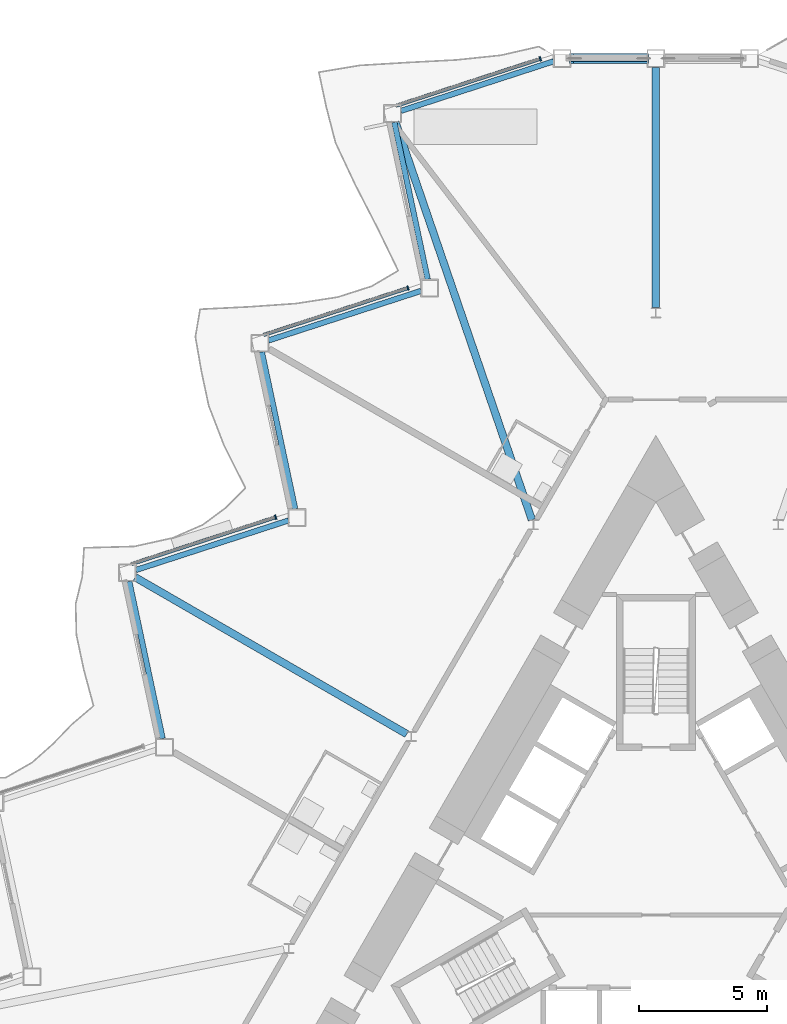
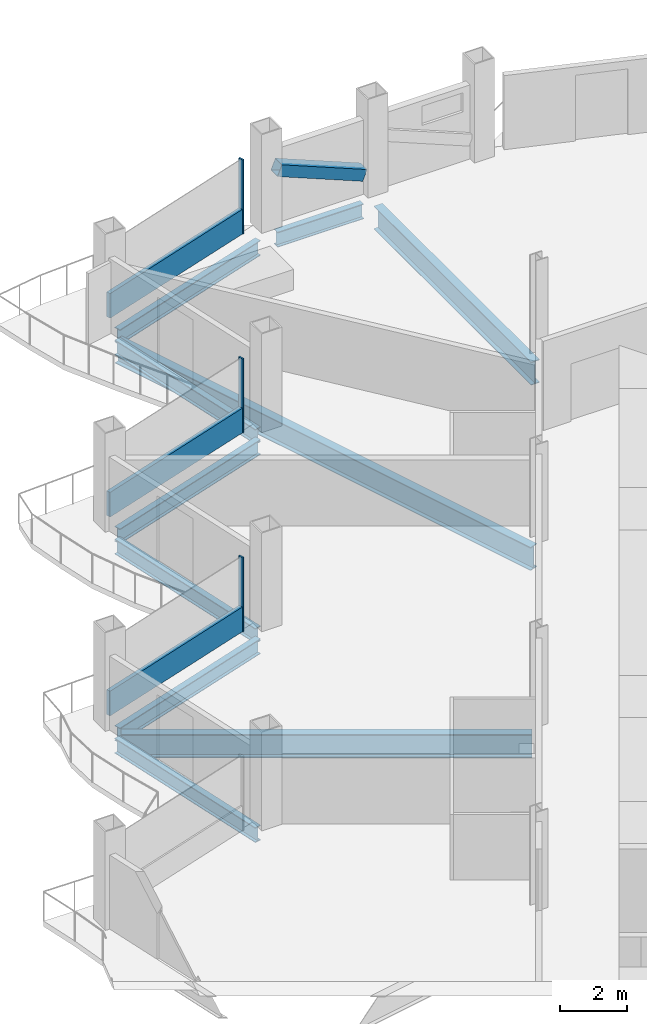
# One storey, part 8 of 23: 10 beams, 7 members, 3 elements without a shape of their own.
"""IFC4 building model written with IfcOpenShell, lengths in metres."""

from ifc_helpers import new_model, si_unit, direction, frame, origin, origin_2d, place, context, subcontext, project, spatial, rectangle, hollow_rectangle, i_section, extrude, material, layer, layer_set, material_profile, profile_set, type_object, element, aggregate, save


model = new_model("IFC4")

# Units and contexts
model_context = context("Model", 3, precision=1e-05, world=origin(), true_north=direction((0.0, 1.0)))
body_context = subcontext(model_context, "Body", "Model", "MODEL_VIEW")
ifc_project = project(units=[si_unit("LENGTHUNIT", "METRE"), si_unit("AREAUNIT", "SQUARE_METRE"), si_unit("VOLUMEUNIT", "CUBIC_METRE"), si_unit("PLANEANGLEUNIT", "RADIAN"), si_unit("MASSUNIT", "GRAM", prefix="KILO")], contexts=[model_context])

# Site, building, storey
site_placement = place(None, origin())
site = spatial("IfcSite", under=ifc_project, at=site_placement, CompositionType="ELEMENT")
building_placement = place(site_placement, origin())
building = spatial("IfcBuilding", under=site, at=building_placement, Name="Cormorant Prow Tower", CompositionType="ELEMENT")
storey_placement = place(building_placement, frame((0.0, 0.0, 259.800048828125)))
storey = spatial("IfcBuildingStorey", under=building, at=storey_placement, Name="L58", CompositionType="ELEMENT", Elevation=259.800048828125)

# Member
ifc_material_1 = material(Name="Structural steel ASTM A500 Gr C", Category="steel")
ifc_material_profile_1 = material_profile(ifc_material_1, hollow_rectangle(XDim=0.406494140625, YDim=0.406494140625, WallThickness=0.01171875, at=origin_2d()), Name="HSS16x16x1/2")
ifc_profile_set_1 = profile_set([ifc_material_profile_1], Name="Structural steel ASTM A500 Gr C")
member_type_1 = type_object("IfcMemberType", Name="Chamfer brace HSS16x16x1/2", PredefinedType="BRACE", material=ifc_profile_set_1)
member_1_placement = place(storey_placement, frame((-0.36572265625, 32.073486328125, 0.74951171875), z_axis=(-0.925591042089, 0.0, 0.37852506232), x_axis=(0.0, -1.0, 0.0)))
element("IfcMember", 1, at=member_1_placement, inside=storey, type_object=member_type_1, Name="Chamfer brace BR2 at N01 L58", PredefinedType="BRACE", context=body_context, shape_type="SweptSolid", body=[
    extrude(hollow_rectangle(XDim=0.406494140625, YDim=0.406494140625, WallThickness=0.01171875, at=origin_2d()), origin(), (0.0, 0.0, 1.0), 3.17529296875),
])

# Curtain wall, member
ifc_material_2 = material(Name="Aluminium 6063-T6", Category="aluminium")
ifc_layer = layer(ifc_material_2, 0.179931640625)
ifc_layer_set = layer_set([ifc_layer], Name="Aluminium 6063-T6")
curtain_wall_type = type_object("IfcCurtainWallType", Name="Hotel unitised curtain wall 180", PredefinedType="NOTDEFINED", material=ifc_layer_set)
curtain_wall_1_placement = place(storey_placement, origin())
curtain_wall_1 = element("IfcCurtainWall", 2, at=curtain_wall_1_placement, inside=storey, type_object=curtain_wall_type, Name="Hotel curtain wall WNW00", PredefinedType="NOTDEFINED")
ifc_material_3 = material(Name="Aluminium 6063-T6", Category="aluminium")
ifc_material_profile_2 = material_profile(ifc_material_3, rectangle(XDim=0.179931640625, YDim=0.06005859375, at=origin_2d()), Name="Hotel mullion 60x180")
ifc_profile_set_2 = profile_set([ifc_material_profile_2], Name="Aluminium 6063-T6")
member_type_2 = type_object("IfcMemberType", Name="Hotel mullion 60x180", PredefinedType="MULLION", material=ifc_profile_set_2)
member_2_placement = place(storey_placement, frame((-4.524658203125, 32.060546875, 0.0), z_axis=(0.0, 0.0, 1.0), x_axis=(0.309016939349, -0.951056534174, 0.0)))
member_2 = element("IfcMember", 3, at=member_2_placement, type_object=member_type_2, Name="Hotel mullion WNW00", PredefinedType="MULLION", context=body_context, shape_type="SweptSolid", body=[
    extrude(rectangle(XDim=0.179931640625, YDim=0.06005859375, at=origin_2d()), origin(), (0.0, 0.0, 1.0), 2.700927734375),
])

curtain_wall_2_placement = place(storey_placement, origin())
curtain_wall_2 = element("IfcCurtainWall", 4, at=curtain_wall_2_placement, inside=storey, type_object=curtain_wall_type, Name="Hotel curtain wall WNW02", PredefinedType="NOTDEFINED")
member_3_placement = place(storey_placement, frame((-9.704345703125, 23.08935546875, 0.0), z_axis=(0.0, 0.0, 1.0), x_axis=(0.309016939349, -0.951056534174, 0.0)))
member_3 = element("IfcMember", 5, at=member_3_placement, type_object=member_type_2, Name="Hotel mullion WNW02", PredefinedType="MULLION", context=body_context, shape_type="SweptSolid", body=[
    extrude(rectangle(XDim=0.179931640625, YDim=0.06005859375, at=origin_2d()), origin(), (0.0, 0.0, 1.0), 2.700927734375),
])

curtain_wall_3_placement = place(storey_placement, origin())
curtain_wall_3 = element("IfcCurtainWall", 6, at=curtain_wall_3_placement, inside=storey, type_object=curtain_wall_type, Name="Hotel curtain wall WNW04", PredefinedType="NOTDEFINED")
member_4_placement = place(storey_placement, frame((-14.8837890625, 14.1181640625, 0.0), z_axis=(0.0, 0.0, 1.0), x_axis=(0.309017069121, -0.951056492009, 0.0)))
member_4 = element("IfcMember", 7, at=member_4_placement, type_object=member_type_2, Name="Hotel mullion WNW04", PredefinedType="MULLION", context=body_context, shape_type="SweptSolid", body=[
    extrude(rectangle(XDim=0.179931640625, YDim=0.06005859375, at=origin_2d()), origin(), (0.0, 0.0, 1.0), 2.700927734375),
])

# Member
ifc_material_4 = material(Name="Terracotta", Category="masonry")
ifc_material_profile_3 = material_profile(ifc_material_4, rectangle(XDim=0.139892578125, YDim=0.89990234375, at=origin_2d()), Name="Hotel terracotta spandrel rail 140x900")
ifc_profile_set_3 = profile_set([ifc_material_profile_3], Name="Terracotta")
member_type_3 = type_object("IfcMemberType", Name="Hotel terracotta spandrel rail 140x900", PredefinedType="USERDEFINED", material=ifc_profile_set_3)
member_5_placement = place(storey_placement, frame((-4.55322265625, 32.05126953125, 0.449951171875), z_axis=(-0.951065040559, -0.308990758158, 0.0), x_axis=(0.308990758158, -0.951065040559, 0.0)))
member_5 = element("IfcMember", 8, at=member_5_placement, type_object=member_type_3, Name="Hotel spandrel rail WNW00", ObjectType="TRANSOM", PredefinedType="USERDEFINED", context=body_context, shape_type="SweptSolid", body=[
    extrude(rectangle(XDim=0.139892578125, YDim=0.89990234375, at=origin_2d()), origin(), (0.0, 0.0, 1.0), 5.90771484375),
])

aggregate(curtain_wall_1, [member_2, member_5])

member_6_placement = place(storey_placement, frame((-9.732666015625, 23.080078125, 0.449951171875), z_axis=(-0.951065040559, -0.308990758158, 0.0), x_axis=(0.308990758158, -0.951065040559, 0.0)))
member_6 = element("IfcMember", 9, at=member_6_placement, type_object=member_type_3, Name="Hotel spandrel rail WNW02", ObjectType="TRANSOM", PredefinedType="USERDEFINED", context=body_context, shape_type="SweptSolid", body=[
    extrude(rectangle(XDim=0.139892578125, YDim=0.89990234375, at=origin_2d()), origin(), (0.0, 0.0, 1.0), 5.90771484375),
])

aggregate(curtain_wall_2, [member_3, member_6])

member_7_placement = place(storey_placement, frame((-14.912353515625, 14.10888671875, 0.449951171875), z_axis=(-0.951061094762, -0.309002902948, 0.0), x_axis=(0.309002902948, -0.951061094762, 0.0)))
member_7 = element("IfcMember", 10, at=member_7_placement, type_object=member_type_3, Name="Hotel spandrel rail WNW04", ObjectType="TRANSOM", PredefinedType="USERDEFINED", context=body_context, shape_type="SweptSolid", body=[
    extrude(rectangle(XDim=0.139892578125, YDim=0.89990234375, at=origin_2d()), origin(), (0.0, 0.0, 1.0), 5.907470703125),
])

aggregate(curtain_wall_3, [member_4, member_7])

# Beams
ifc_material_5 = material(Name="Structural steel ASTM A992 Gr 50", Category="steel")
ifc_material_profile_4 = material_profile(ifc_material_5, i_section(OverallWidth=0.29296875, OverallDepth=0.845703125, WebThickness=0.015380859375, FlangeThickness=0.0244140625, at=origin_2d()), Name="W33x141")
ifc_profile_set_4 = profile_set([ifc_material_profile_4], Name="Structural steel ASTM A992 Gr 50")
beam_type_1 = type_object("IfcBeamType", Name="Radial floor beam W33x141", PredefinedType="BEAM", material=ifc_profile_set_4)
beam_1_placement = place(storey_placement, frame((0.0, 22.320068359375, -0.77294921875), z_axis=(0.0, 1.0, 0.0), x_axis=(-1.0, 0.0, 0.0)))
element("IfcBeam", 11, at=beam_1_placement, inside=storey, type_object=beam_type_1, Name="Radial floor beam FB2 1 L58", PredefinedType="BEAM", context=body_context, shape_type="SweptSolid", body=[
    extrude(i_section(OverallWidth=0.29296875, OverallDepth=0.845703125, WebThickness=0.015380859375, FlangeThickness=0.0244140625, at=origin_2d()), origin(), (0.0, 0.0, 1.0), 9.4033203125),
])
beam_2_placement = place(storey_placement, frame((-4.85400390625, 14.013916015625, -0.77294921875), z_axis=(-0.324535507117, 0.945873514071, 0.0), x_axis=(-0.945873514071, -0.324535507117, 0.0)))
element("IfcBeam", 12, at=beam_2_placement, inside=storey, type_object=beam_type_1, Name="Radial floor beam FB2 2 L58", PredefinedType="BEAM", context=body_context, shape_type="SweptSolid", body=[
    extrude(i_section(OverallWidth=0.29296875, OverallDepth=0.845703125, WebThickness=0.015380859375, FlangeThickness=0.0244140625, at=origin_2d()), origin(), (0.0, 0.0, 1.0), 16.462158203125),
])
beam_3_placement = place(storey_placement, frame((-9.751220703125, 5.6298828125, -0.77294921875), z_axis=(-0.866021995826, 0.500005902711, 0.0), x_axis=(-0.500005902711, -0.866021995826, 0.0)))
element("IfcBeam", 13, at=beam_3_placement, inside=storey, type_object=beam_type_1, Name="Radial floor beam FB2 3 L58", PredefinedType="BEAM", context=body_context, shape_type="SweptSolid", body=[
    extrude(i_section(OverallWidth=0.29296875, OverallDepth=0.845703125, WebThickness=0.015380859375, FlangeThickness=0.0244140625, at=origin_2d()), origin(), (0.0, 0.0, 1.0), 12.277099609375),
])
ifc_material_6 = material(Name="Structural steel ASTM A992 Gr 50", Category="steel")
ifc_material_profile_5 = material_profile(ifc_material_6, i_section(OverallWidth=0.2138671875, OverallDepth=0.549072265625, WebThickness=0.0146484375, FlangeThickness=0.023681640625, at=origin_2d()), Name="W21x93")
ifc_profile_set_5 = profile_set([ifc_material_profile_5], Name="Structural steel ASTM A992 Gr 50")
beam_type_2 = type_object("IfcBeamType", Name="Spandrel beam W21x93", PredefinedType="SPANDREL", material=ifc_profile_set_5)
beam_4_placement = place(storey_placement, frame((-0.35009765625, 32.073486328125, -0.62451171875), z_axis=(-1.0, 0.0, 0.0), x_axis=(0.0, -1.0, 0.0)))
element("IfcBeam", 14, at=beam_4_placement, inside=storey, type_object=beam_type_2, Name="Spandrel beam SB2 N01-WNW00 L58", PredefinedType="SPANDREL", context=body_context, shape_type="SweptSolid", body=[
    extrude(i_section(OverallWidth=0.2138671875, OverallDepth=0.549072265625, WebThickness=0.0146484375, FlangeThickness=0.023681640625, at=origin_2d()), origin(), (0.0, 0.0, 1.0), 2.97021484375),
])
for number, where, z_axis, x_axis, name in (
    (15, (-4.003173828125, 31.96533203125, -0.62451171875), (-0.951054060056, -0.309024553801, 0.0), (0.309024553801, -0.951054060056, 0.0), "Spandrel beam SB2 WNW00-WNW01 L58"),
    (16, (-10.2373046875, 29.57373046875, -0.62451171875), (0.207896407679, -0.97815084914, 0.0), (0.97815084914, 0.207896407679, 0.0), "Spandrel beam SB2 WNW01-WNW02 L58"),
):
    element("IfcBeam", number, at=place(storey_placement, frame(where, z_axis=z_axis, x_axis=x_axis)), inside=storey, type_object=beam_type_2, Name=name, PredefinedType="SPANDREL", context=body_context, shape_type="SweptSolid", body=[
        extrude(i_section(OverallWidth=0.2138671875, OverallDepth=0.549072265625, WebThickness=0.0146484375, FlangeThickness=0.023681640625, at=origin_2d()), origin(), (0.0, 0.0, 1.0), 6.281494140625),
    ])
beam_5_placement = place(storey_placement, frame((-9.191650390625, 22.97900390625, -0.62451171875), z_axis=(-0.951050348284, -0.309035976918, 0.0), x_axis=(0.309035976918, -0.951050348284, 0.0)))
element("IfcBeam", 17, at=beam_5_placement, inside=storey, type_object=beam_type_2, Name="Spandrel beam SB2 WNW02-WNW03 L58", PredefinedType="SPANDREL", context=body_context, shape_type="SweptSolid", body=[
    extrude(i_section(OverallWidth=0.2138671875, OverallDepth=0.549072265625, WebThickness=0.0146484375, FlangeThickness=0.023681640625, at=origin_2d()), origin(), (0.0, 0.0, 1.0), 6.28125),
])
beam_6_placement = place(storey_placement, frame((-15.42578125, 20.58740234375, -0.62451171875), z_axis=(0.207933593793, -0.978142944856, 0.0), x_axis=(0.978142944856, 0.207933593793, 0.0)))
element("IfcBeam", 18, at=beam_6_placement, inside=storey, type_object=beam_type_2, Name="Spandrel beam SB2 WNW03-WNW04 L58", PredefinedType="SPANDREL", context=body_context, shape_type="SweptSolid", body=[
    extrude(i_section(OverallWidth=0.2138671875, OverallDepth=0.549072265625, WebThickness=0.0146484375, FlangeThickness=0.023681640625, at=origin_2d()), origin(), (0.0, 0.0, 1.0), 6.281494140625),
])
beam_7_placement = place(storey_placement, frame((-14.3798828125, 13.99267578125, -0.62451171875), z_axis=(-0.951050348284, -0.309035976918, 0.0), x_axis=(0.309035976918, -0.951050348284, 0.0)))
element("IfcBeam", 19, at=beam_7_placement, inside=storey, type_object=beam_type_2, Name="Spandrel beam SB2 WNW04-WNW05 L58", PredefinedType="SPANDREL", context=body_context, shape_type="SweptSolid", body=[
    extrude(i_section(OverallWidth=0.2138671875, OverallDepth=0.549072265625, WebThickness=0.0146484375, FlangeThickness=0.023681640625, at=origin_2d()), origin(), (0.0, 0.0, 1.0), 6.28125),
])
beam_8_placement = place(storey_placement, frame((-20.614013671875, 11.60107421875, -0.62451171875), z_axis=(0.207933593793, -0.978142944856, 0.0), x_axis=(0.978142944856, 0.207933593793, 0.0)))
element("IfcBeam", 20, at=beam_8_placement, inside=storey, type_object=beam_type_2, Name="Spandrel beam SB2 WNW05-WNW06 L58", PredefinedType="SPANDREL", context=body_context, shape_type="SweptSolid", body=[
    extrude(i_section(OverallWidth=0.2138671875, OverallDepth=0.549072265625, WebThickness=0.0146484375, FlangeThickness=0.023681640625, at=origin_2d()), origin(), (0.0, 0.0, 1.0), 6.281494140625),
])

save(model, "model.ifc")
